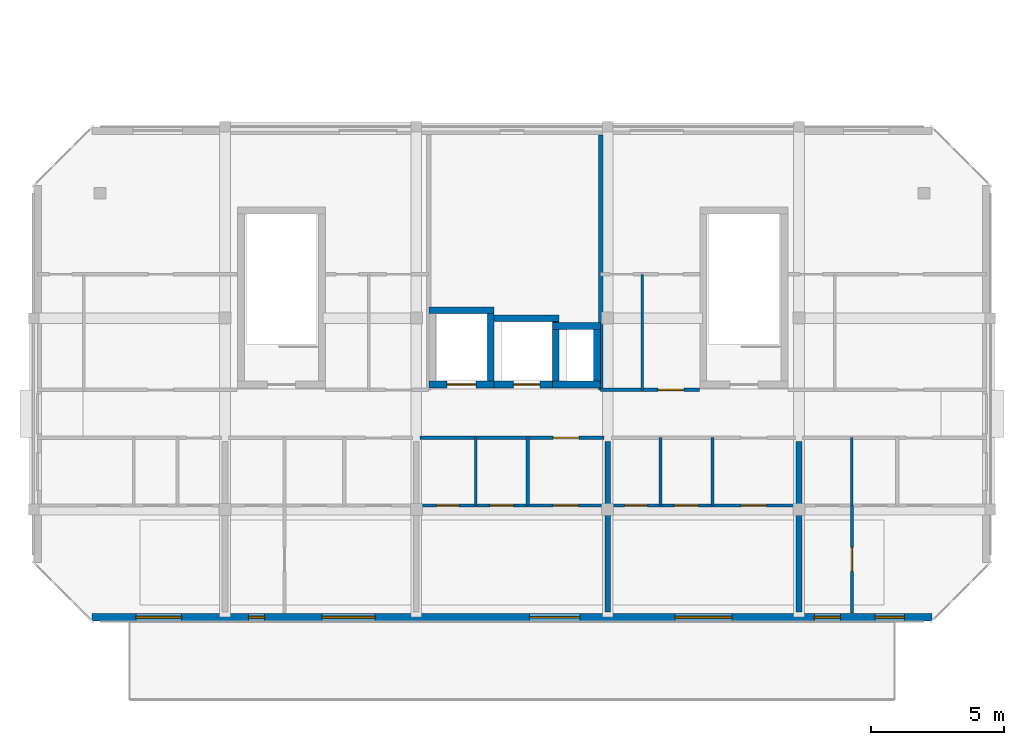
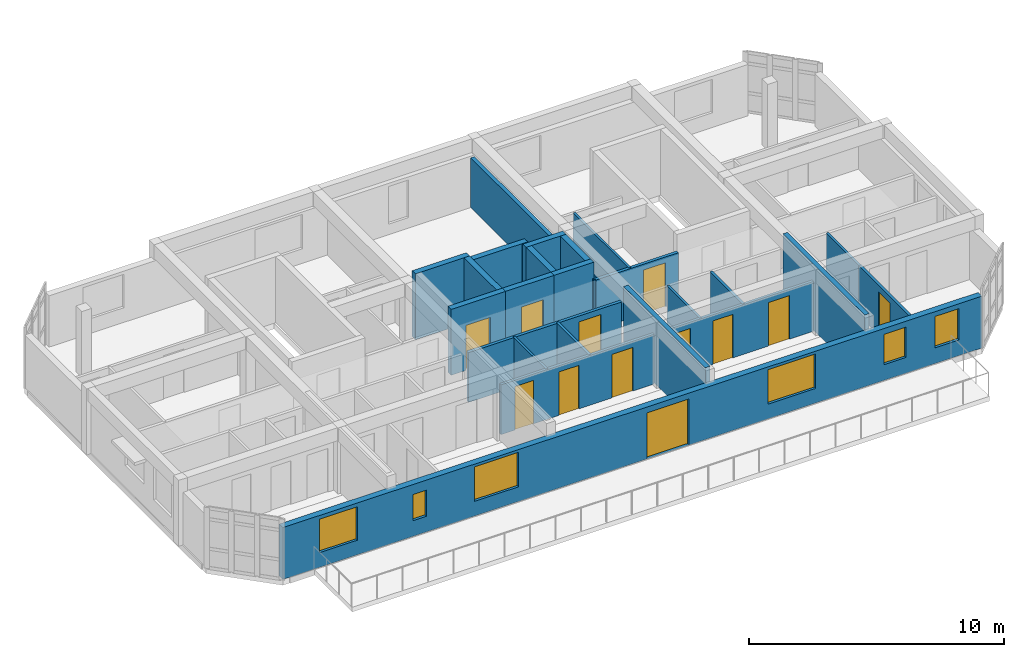
# One storey, part 9 of 19: 24 walls, 12 doors, 6 windows, 18 openings.
"""IFC4 building model written with IfcOpenShell, lengths in metres."""

from ifc_helpers import new_model, si_unit, direction, frame, frame_2d, origin, place, context, subcontext, project, spatial, rectangle, extrude, material, layer, layer_set, type_object, element, fill, save


model = new_model("IFC4")

# Units and contexts
model_context = context("Model", 3, precision=1e-05, world=origin(), true_north=direction((0.0, 1.0)))
body_context = subcontext(model_context, "Body", "Model", "MODEL_VIEW")
ifc_project = project(units=[si_unit("LENGTHUNIT", "METRE"), si_unit("AREAUNIT", "SQUARE_METRE"), si_unit("VOLUMEUNIT", "CUBIC_METRE"), si_unit("PLANEANGLEUNIT", "RADIAN"), si_unit("MASSUNIT", "GRAM", prefix="KILO")], contexts=[model_context])

# Site, building, storey
site_placement = place(None, origin())
site = spatial("IfcSite", under=ifc_project, at=site_placement, CompositionType="ELEMENT")
building_placement = place(site_placement, origin())
building = spatial("IfcBuilding", under=site, at=building_placement, Name="Ochrevale Crest", CompositionType="ELEMENT")
storey_placement = place(building_placement, frame((0.0, 0.0, 43.35009765625)))
storey = spatial("IfcBuildingStorey", under=building, at=storey_placement, Name="L13", CompositionType="ELEMENT", Elevation=43.35009765625)

# Wall, opening, door
ifc_material_1 = material(Name="Gypsum plasterboard", Category="gypsum")
ifc_layer_1 = layer(ifc_material_1, 0.139892578125)
ifc_layer_set_1 = layer_set([ifc_layer_1], Name="Gypsum plasterboard")
wall_type_1 = type_object("IfcWallType", Name="WL-COR-140", PredefinedType="PARTITIONING", material=ifc_layer_set_1)
wall_1_placement = place(storey_placement, frame((144.139892578125, 24.300048828125, 0.0), z_axis=(0.0, 0.0, 1.0), x_axis=(1.0, 0.0, 0.0)))
wall_1 = element("IfcWall", 1, at=wall_1_placement, inside=storey, type_object=wall_type_1, Name="Apartment C-L13-U3 corridor wall", PredefinedType="PARTITIONING", context=body_context, shape_type="SweptSolid", body=[
    extrude(rectangle(XDim=6.920166015625, YDim=0.139892578125, at=frame_2d((3.4599609375, 0.0))), origin(), (0.0, 0.0, 1.0), 2.3798828125),
])
opening_1_placement = place(wall_1_placement, frame((4.9951171875, 0.0, 0.0)))
opening_1 = element("IfcOpeningElement", 2, at=opening_1_placement, cuts=wall_1, Name="Opening FD01", PredefinedType="OPENING", context=body_context, shape_type="SweptSolid", body=[
    extrude(rectangle(XDim=0.97998046875, YDim=2.10009765625, at=frame_2d((0.489990234375, 1.050048828125))), frame((0.0, 0.080078125, 0.0), z_axis=(0.0, -1.0, 0.0), x_axis=(1.0, 0.0, 0.0)), (0.0, 0.0, 1.0), 0.159912109375),
])
ifc_material_2 = material(Name="Solid-core FSC hardwood", Category="wood")
door_type_1 = type_object("IfcDoorType", Name="DR-APT-950", OperationType="NOTDEFINED", PredefinedType="DOOR", material=ifc_material_2)
door_1_placement = place(opening_1_placement, origin())
door_1 = element("IfcDoor", 3, at=door_1_placement, inside=storey, type_object=door_type_1, Name="Apartment C-L13-U3 entrance door", OperationType="SINGLE_SWING_LEFT", OverallHeight=2.10009765625, OverallWidth=0.97998046875, PredefinedType="DOOR", context=body_context, shape_type="SweptSolid", body=[
    extrude(rectangle(XDim=0.97998046875, YDim=2.10009765625, at=frame_2d((0.489990234375, 1.050048828125))), frame((0.0, 0.02490234375, 0.0), z_axis=(0.0, -1.0, 0.0), x_axis=(1.0, 0.0, 0.0)), (0.0, 0.0, 1.0), 0.050048828125),
])
fill(opening_1, door_1)

wall_2_placement = place(storey_placement, frame((150.93994140625, 26.10009765625, 0.0), z_axis=(0.0, 0.0, 1.0), x_axis=(1.0, 0.0, 0.0)))
wall_2 = element("IfcWall", 4, at=wall_2_placement, inside=storey, type_object=wall_type_1, Name="Suite C-L13-ME corridor wall", PredefinedType="PARTITIONING", context=body_context, shape_type="SweptSolid", body=[
    extrude(rectangle(XDim=3.719970703125, YDim=0.139892578125, at=frame_2d((1.85986328125, 0.0))), origin(), (0.0, 0.0, 1.0), 2.3798828125),
])
opening_2_placement = place(wall_2_placement, frame((3.131103515625, 0.0, 0.0), z_axis=(0.0, 0.0, 1.0), x_axis=(-1.0, 0.0, 0.0)))
opening_2 = element("IfcOpeningElement", 5, at=opening_2_placement, cuts=wall_2, Name="Opening FD01", PredefinedType="OPENING", context=body_context, shape_type="SweptSolid", body=[
    extrude(rectangle(XDim=0.97998046875, YDim=2.10009765625, at=frame_2d((0.489990234375, 1.050048828125))), frame((0.0, 0.080078125, 0.0), z_axis=(0.0, -1.0, 0.0), x_axis=(1.0, 0.0, 0.0)), (0.0, 0.0, 1.0), 0.159912109375),
])
door_2_placement = place(opening_2_placement, origin())
door_2 = element("IfcDoor", 6, at=door_2_placement, inside=storey, type_object=door_type_1, Name="Suite C-L13-ME entrance door", OperationType="SINGLE_SWING_RIGHT", OverallHeight=2.10009765625, OverallWidth=0.97998046875, PredefinedType="DOOR", context=body_context, shape_type="SweptSolid", body=[
    extrude(rectangle(XDim=0.97998046875, YDim=2.10009765625, at=frame_2d((0.489990234375, 1.050048828125))), frame((0.0, 0.02490234375, 0.0), z_axis=(0.0, -1.0, 0.0), x_axis=(1.0, 0.0, 0.0)), (0.0, 0.0, 1.0), 0.050048828125),
])
fill(opening_2, door_2)

ifc_material_3 = material(Name="Precast concrete C50/60", Category="concrete")
ifc_layer_2 = layer(ifc_material_3, 0.2548828125)
ifc_layer_set_2 = layer_set([ifc_layer_2], Name="Precast concrete C50/60")
wall_type_2 = type_object("IfcWallType", Name="WL-CORE-255", PredefinedType="SHEAR", material=ifc_layer_set_2)
wall_3_placement = place(storey_placement, frame((144.472412109375, 26.300048828125, 0.0), z_axis=(0.0, 0.0, 1.0), x_axis=(1.0, 0.0, 0.0)))
wall_3 = element("IfcWall", 7, at=wall_3_placement, inside=storey, type_object=wall_type_2, Name="Block C L13 Lift 1 precast shaft shear wall S", PredefinedType="SHEAR", context=body_context, shape_type="SweptSolid", body=[
    extrude(rectangle(XDim=2.455078125, YDim=0.2548828125, at=frame_2d((1.2275390625, 0.0))), origin(), (0.0, 0.0, 1.0), 3.14990234375),
])
opening_3_placement = place(wall_3_placement, frame((0.677490234375, 0.0, 0.0)))
opening_3 = element("IfcOpeningElement", 8, at=opening_3_placement, cuts=wall_3, Name="Opening LD01", PredefinedType="OPENING", context=body_context, shape_type="SweptSolid", body=[
    extrude(rectangle(XDim=1.10009765625, YDim=2.14990234375, at=frame_2d((0.550048828125, 1.074951171875))), frame((0.0, 0.137451171875, 0.0), z_axis=(0.0, -1.0, 0.0), x_axis=(1.0, 0.0, 0.0)), (0.0, 0.0, 1.0), 0.27490234375),
])
door_type_2 = type_object("IfcDoorType", Name="DR-LIFT-1100", OperationType="NOTDEFINED", PredefinedType="DOOR", material=ifc_material_2)
door_3_placement = place(opening_3_placement, origin())
door_3 = element("IfcDoor", 9, at=door_3_placement, inside=storey, type_object=door_type_2, Name="Lift LF-C1 L13 sliding landing door", OperationType="SLIDING_TO_LEFT", OverallHeight=2.14990234375, OverallWidth=1.10009765625, PredefinedType="DOOR", context=body_context, shape_type="SweptSolid", body=[
    extrude(rectangle(XDim=1.10009765625, YDim=2.14990234375, at=frame_2d((0.550048828125, 1.074951171875))), frame((0.0, 0.02490234375, 0.0), z_axis=(0.0, -1.0, 0.0), x_axis=(1.0, 0.0, 0.0)), (0.0, 0.0, 1.0), 0.050048828125),
])
fill(opening_3, door_3)

# Walls
wall_4_placement = place(storey_placement, frame((144.472412109375, 29.10009765625, 0.0), z_axis=(0.0, 0.0, 1.0), x_axis=(1.0, 0.0, 0.0)))
element("IfcWall", 10, at=wall_4_placement, inside=storey, type_object=wall_type_2, Name="Block C L13 Lift 1 precast shaft shear wall N", PredefinedType="SHEAR", context=body_context, shape_type="SweptSolid", body=[
    extrude(rectangle(XDim=2.455078125, YDim=0.2548828125, at=frame_2d((1.2275390625, 0.0))), origin(), (0.0, 0.0, 1.0), 3.14990234375),
])
wall_5_placement = place(storey_placement, frame((146.800048828125, 26.427490234375, 0.0), z_axis=(0.0, 0.0, 1.0), x_axis=(0.0, 1.0, 0.0)))
element("IfcWall", 11, at=wall_5_placement, inside=storey, type_object=wall_type_2, Name="Block C L13 Lift 1 precast shaft shear wall E", PredefinedType="SHEAR", context=body_context, shape_type="SweptSolid", body=[
    extrude(rectangle(XDim=2.544921875, YDim=0.2548828125, at=frame_2d((1.2724609375, 0.0))), origin(), (0.0, 0.0, 1.0), 3.14990234375),
])

# Wall, opening, door
wall_6_placement = place(storey_placement, frame((146.922607421875, 26.300048828125, 0.0), z_axis=(0.0, 0.0, 1.0), x_axis=(1.0, 0.0, 0.0)))
wall_6 = element("IfcWall", 12, at=wall_6_placement, inside=storey, type_object=wall_type_2, Name="Block C L13 Lift 2 precast shaft shear wall S", PredefinedType="SHEAR", context=body_context, shape_type="SweptSolid", body=[
    extrude(rectangle(XDim=2.454833984375, YDim=0.2548828125, at=frame_2d((1.2275390625, 0.0))), origin(), (0.0, 0.0, 1.0), 3.14990234375),
])
opening_4_placement = place(wall_6_placement, frame((0.7275390625, 0.0, 0.0)))
opening_4 = element("IfcOpeningElement", 13, at=opening_4_placement, cuts=wall_6, Name="Opening LD02", PredefinedType="OPENING", context=body_context, shape_type="SweptSolid", body=[
    extrude(rectangle(XDim=1.0, YDim=2.14990234375, at=frame_2d((0.5, 1.074951171875))), frame((0.0, 0.137451171875, 0.0), z_axis=(0.0, -1.0, 0.0), x_axis=(1.0, 0.0, 0.0)), (0.0, 0.0, 1.0), 0.27490234375),
])
door_type_3 = type_object("IfcDoorType", Name="DR-LIFT-1000", OperationType="NOTDEFINED", PredefinedType="DOOR", material=ifc_material_2)
door_4_placement = place(opening_4_placement, origin())
door_4 = element("IfcDoor", 14, at=door_4_placement, inside=storey, type_object=door_type_3, Name="Lift LP-C2 L13 sliding landing door", OperationType="SLIDING_TO_RIGHT", OverallHeight=2.14990234375, OverallWidth=1.0, PredefinedType="DOOR", context=body_context, shape_type="SweptSolid", body=[
    extrude(rectangle(XDim=1.0, YDim=2.14990234375, at=frame_2d((0.5, 1.074951171875))), frame((0.0, 0.02490234375, 0.0), z_axis=(0.0, -1.0, 0.0), x_axis=(1.0, 0.0, 0.0)), (0.0, 0.0, 1.0), 0.050048828125),
])
fill(opening_4, door_4)

# Walls
wall_7_placement = place(storey_placement, frame((146.922607421875, 28.800048828125, 0.0), z_axis=(0.0, 0.0, 1.0), x_axis=(1.0, 0.0, 0.0)))
element("IfcWall", 15, at=wall_7_placement, inside=storey, type_object=wall_type_2, Name="Block C L13 Lift 2 precast shaft shear wall N", PredefinedType="SHEAR", context=body_context, shape_type="SweptSolid", body=[
    extrude(rectangle(XDim=2.454833984375, YDim=0.2548828125, at=frame_2d((1.2275390625, 0.0))), origin(), (0.0, 0.0, 1.0), 3.14990234375),
])
wall_8_placement = place(storey_placement, frame((149.25, 26.427490234375, 0.0), z_axis=(0.0, 0.0, 1.0), x_axis=(0.0, 1.0, 0.0)))
element("IfcWall", 16, at=wall_8_placement, inside=storey, type_object=wall_type_2, Name="Block C L13 Lift 2 precast shaft shear wall E", PredefinedType="SHEAR", context=body_context, shape_type="SweptSolid", body=[
    extrude(rectangle(XDim=2.2451171875, YDim=0.2548828125, at=frame_2d((1.12255859375, 0.0))), origin(), (0.0, 0.0, 1.0), 3.14990234375),
])
for number, where, z_axis, x_axis, name in (
    (17, (149.12255859375, 26.300048828125, 0.0), (0.0, 0.0, 1.0), (1.0, 0.0, 0.0), "Block C L13 services riser shaft core wall S"),
    (18, (149.12255859375, 28.5, 0.0), (0.0, 0.0, 1.0), (1.0, 0.0, 0.0), "Block C L13 services riser shaft core wall N"),
):
    element("IfcWall", number, at=place(storey_placement, frame(where, z_axis=z_axis, x_axis=x_axis)), inside=storey, type_object=wall_type_2, Name=name, PredefinedType="SHEAR", context=body_context, shape_type="SweptSolid", body=[
        extrude(rectangle(XDim=1.804931640625, YDim=0.2548828125, at=frame_2d((0.90234375, 0.0))), origin(), (0.0, 0.0, 1.0), 3.14990234375),
    ])
wall_9_placement = place(storey_placement, frame((150.800048828125, 26.427490234375, 0.0), z_axis=(0.0, 0.0, 1.0), x_axis=(0.0, 1.0, 0.0)))
element("IfcWall", 19, at=wall_9_placement, inside=storey, type_object=wall_type_2, Name="Block C L13 services riser shaft core wall E", PredefinedType="SHEAR", context=body_context, shape_type="SweptSolid", body=[
    extrude(rectangle(XDim=1.945068359375, YDim=0.2548828125, at=frame_2d((0.97265625, 0.0))), origin(), (0.0, 0.0, 1.0), 3.14990234375),
])

# Wall, openings, door, windows
ifc_material_4 = material(Name="Clay face brickwork", Category="masonry")
ifc_layer_3 = layer(ifc_material_4, 0.2900390625)
ifc_layer_set_3 = layer_set([ifc_layer_3], Name="Clay face brickwork")
wall_type_3 = type_object("IfcWallType", Name="WL-EXT-BRICK-290", PredefinedType="SOLIDWALL", material=ifc_layer_set_3)
wall_10_placement = place(storey_placement, frame((131.800048828125, 17.544921875, 0.0), z_axis=(0.0, 0.0, 1.0), x_axis=(1.0, 0.0, 0.0)))
wall_10 = element("IfcWall", 20, at=wall_10_placement, inside=storey, type_object=wall_type_3, Name="Block C L13 external facade wall E1", PredefinedType="SOLIDWALL", context=body_context, shape_type="SweptSolid", body=[
    extrude(rectangle(XDim=31.599853515625, YDim=0.2900390625, at=frame_2d((15.7998046875, 0.0))), origin(), (0.0, 0.0, 1.0), 2.47998046875),
])
opening_5_placement = place(wall_10_placement, frame((18.349853515625, 0.0, 0.0), z_axis=(0.0, 0.0, 1.0), x_axis=(-1.0, 0.0, 0.0)))
opening_5 = element("IfcOpeningElement", 21, at=opening_5_placement, cuts=wall_10, Name="Opening TD01", PredefinedType="OPENING", context=body_context, shape_type="SweptSolid", body=[
    extrude(rectangle(XDim=1.89990234375, YDim=2.199951171875, at=frame_2d((0.949951171875, 1.10009765625))), frame((0.0, 0.155029296875, 0.0), z_axis=(0.0, -1.0, 0.0), x_axis=(1.0, 0.0, 0.0)), (0.0, 0.0, 1.0), 0.31005859375),
])
opening_6_placement = place(wall_10_placement, frame((1.64990234375, 0.0, 0.699951171875)))
opening_6 = element("IfcOpeningElement", 22, at=opening_6_placement, cuts=wall_10, Name="Opening W10", PredefinedType="OPENING", context=body_context, shape_type="SweptSolid", body=[
    extrude(rectangle(XDim=1.719970703125, YDim=1.60009765625, at=frame_2d((0.85986328125, 0.800048828125))), frame((0.0, 0.155029296875, 0.0), z_axis=(0.0, -1.0, 0.0), x_axis=(1.0, 0.0, 0.0)), (0.0, 0.0, 1.0), 0.31005859375),
])
opening_7_placement = place(wall_10_placement, frame((5.889892578125, 0.0, 0.75)))
opening_7 = element("IfcOpeningElement", 23, at=opening_7_placement, cuts=wall_10, Name="Opening W01", PredefinedType="OPENING", context=body_context, shape_type="SweptSolid", body=[
    extrude(rectangle(XDim=0.60009765625, YDim=1.25, at=frame_2d((0.300048828125, 0.625))), frame((0.0, 0.155029296875, 0.0), z_axis=(0.0, -1.0, 0.0), x_axis=(1.0, 0.0, 0.0)), (0.0, 0.0, 1.0), 0.31005859375),
])
opening_8_placement = place(wall_10_placement, frame((8.64990234375, 0.0, 0.699951171875)))
opening_8 = element("IfcOpeningElement", 24, at=opening_8_placement, cuts=wall_10, Name="Opening W12", PredefinedType="OPENING", context=body_context, shape_type="SweptSolid", body=[
    extrude(rectangle(XDim=2.0, YDim=1.64990234375, at=frame_2d((1.0, 0.824951171875))), frame((0.0, 0.155029296875, 0.0), z_axis=(0.0, -1.0, 0.0), x_axis=(1.0, 0.0, 0.0)), (0.0, 0.0, 1.0), 0.31005859375),
])
opening_9_placement = place(wall_10_placement, frame((21.925048828125, 0.0, 0.699951171875)))
opening_9 = element("IfcOpeningElement", 25, at=opening_9_placement, cuts=wall_10, Name="Opening W13", PredefinedType="OPENING", context=body_context, shape_type="SweptSolid", body=[
    extrude(rectangle(XDim=2.14990234375, YDim=1.64990234375, at=frame_2d((1.074951171875, 0.824951171875))), frame((0.0, 0.155029296875, 0.0), z_axis=(0.0, -1.0, 0.0), x_axis=(1.0, 0.0, 0.0)), (0.0, 0.0, 1.0), 0.31005859375),
])
opening_10_placement = place(wall_10_placement, frame((27.175048828125, 0.0, 0.75)))
opening_10 = element("IfcOpeningElement", 26, at=opening_10_placement, cuts=wall_10, Name="Opening W04", PredefinedType="OPENING", context=body_context, shape_type="SweptSolid", body=[
    extrude(rectangle(XDim=0.97998046875, YDim=1.449951171875, at=frame_2d((0.489990234375, 0.72509765625))), frame((0.0, 0.155029296875, 0.0), z_axis=(0.0, -1.0, 0.0), x_axis=(1.0, 0.0, 0.0)), (0.0, 0.0, 1.0), 0.31005859375),
])
opening_11_placement = place(wall_10_placement, frame((29.465087890625, 0.0, 0.75)))
opening_11 = element("IfcOpeningElement", 27, at=opening_11_placement, cuts=wall_10, Name="Opening W05", PredefinedType="OPENING", context=body_context, shape_type="SweptSolid", body=[
    extrude(rectangle(XDim=1.10009765625, YDim=1.5, at=frame_2d((0.550048828125, 0.75))), frame((0.0, 0.155029296875, 0.0), z_axis=(0.0, -1.0, 0.0), x_axis=(1.0, 0.0, 0.0)), (0.0, 0.0, 1.0), 0.31005859375),
])
ifc_material_5 = material(Name="Anodised aluminium 6063-T5 and toughened glass", Category="aluminium")
door_type_4 = type_object("IfcDoorType", Name="DR-TER-1900", OperationType="NOTDEFINED", PredefinedType="DOOR", material=ifc_material_5)
door_5_placement = place(opening_5_placement, origin())
door_5 = element("IfcDoor", 28, at=door_5_placement, inside=storey, type_object=door_type_4, Name="Block C L13 roof-terrace double glazed door", OperationType="DOUBLE_DOOR_SINGLE_SWING", OverallHeight=2.199951171875, OverallWidth=1.89990234375, PredefinedType="DOOR", context=body_context, shape_type="SweptSolid", body=[
    extrude(rectangle(XDim=1.89990234375, YDim=2.199951171875, at=frame_2d((0.949951171875, 1.10009765625))), frame((0.0, 0.02490234375, 0.0), z_axis=(0.0, -1.0, 0.0), x_axis=(1.0, 0.0, 0.0)), (0.0, 0.0, 1.0), 0.050048828125),
])
fill(opening_5, door_5)
ifc_material_6 = material(Name="Anodised aluminium 6063-T5 and low-E double glazing", Category="aluminium")
window_type_1 = type_object("IfcWindowType", Name="WIN-W01", PartitioningType="SINGLE_PANEL", PredefinedType="WINDOW", material=ifc_material_6)
window_1_placement = place(opening_7_placement, origin())
window_1 = element("IfcWindow", 29, at=window_1_placement, inside=storey, type_object=window_type_1, Name="Block C L13 Apartment C-L13-U2 Master Bedroom window", OverallHeight=1.25, OverallWidth=0.60009765625, PartitioningType="SINGLE_PANEL", PredefinedType="WINDOW", context=body_context, shape_type="SweptSolid", body=[
    extrude(rectangle(XDim=0.60009765625, YDim=1.25, at=frame_2d((0.300048828125, 0.625))), frame((0.0, 0.030029296875, 0.0), z_axis=(0.0, -1.0, 0.0), x_axis=(1.0, 0.0, 0.0)), (0.0, 0.0, 1.0), 0.06005859375),
])
fill(opening_7, window_1)
window_type_2 = type_object("IfcWindowType", Name="WIN-W04", PartitioningType="SINGLE_PANEL", PredefinedType="WINDOW", material=ifc_material_6)
window_2_placement = place(opening_10_placement, origin())
window_2 = element("IfcWindow", 30, at=window_2_placement, inside=storey, type_object=window_type_2, Name="Block C L13 Apartment C-L13-U5 Double Bedroom window", OverallHeight=1.449951171875, OverallWidth=0.97998046875, PartitioningType="SINGLE_PANEL", PredefinedType="WINDOW", context=body_context, shape_type="SweptSolid", body=[
    extrude(rectangle(XDim=0.97998046875, YDim=1.449951171875, at=frame_2d((0.489990234375, 0.72509765625))), frame((0.0, 0.030029296875, 0.0), z_axis=(0.0, -1.0, 0.0), x_axis=(1.0, 0.0, 0.0)), (0.0, 0.0, 1.0), 0.06005859375),
])
fill(opening_10, window_2)
window_type_3 = type_object("IfcWindowType", Name="WIN-W05", PartitioningType="SINGLE_PANEL", PredefinedType="WINDOW", material=ifc_material_6)
window_3_placement = place(opening_11_placement, origin())
window_3 = element("IfcWindow", 31, at=window_3_placement, inside=storey, type_object=window_type_3, Name="Block C L13 Apartment C-L13-U5 Two Bedroom Living Room window", OverallHeight=1.5, OverallWidth=1.10009765625, PartitioningType="SINGLE_PANEL", PredefinedType="WINDOW", context=body_context, shape_type="SweptSolid", body=[
    extrude(rectangle(XDim=1.10009765625, YDim=1.5, at=frame_2d((0.550048828125, 0.75))), frame((0.0, 0.030029296875, 0.0), z_axis=(0.0, -1.0, 0.0), x_axis=(1.0, 0.0, 0.0)), (0.0, 0.0, 1.0), 0.06005859375),
])
fill(opening_11, window_3)
window_type_4 = type_object("IfcWindowType", Name="WIN-W10", PartitioningType="SINGLE_PANEL", PredefinedType="WINDOW", material=ifc_material_6)
window_4_placement = place(opening_6_placement, origin())
window_4 = element("IfcWindow", 32, at=window_4_placement, inside=storey, type_object=window_type_4, Name="Block C L13 Studio C-L13-U1 Living Room window", OverallHeight=1.60009765625, OverallWidth=1.719970703125, PartitioningType="SINGLE_PANEL", PredefinedType="WINDOW", context=body_context, shape_type="SweptSolid", body=[
    extrude(rectangle(XDim=1.719970703125, YDim=1.60009765625, at=frame_2d((0.85986328125, 0.800048828125))), frame((0.0, 0.030029296875, 0.0), z_axis=(0.0, -1.0, 0.0), x_axis=(1.0, 0.0, 0.0)), (0.0, 0.0, 1.0), 0.06005859375),
])
fill(opening_6, window_4)
window_type_5 = type_object("IfcWindowType", Name="WIN-W12", PartitioningType="SINGLE_PANEL", PredefinedType="WINDOW", material=ifc_material_6)
window_5_placement = place(opening_8_placement, origin())
window_5 = element("IfcWindow", 33, at=window_5_placement, inside=storey, type_object=window_type_5, Name="Block C L13 Apartment C-L13-U2 One Bedroom Living Room window", OverallHeight=1.64990234375, OverallWidth=2.0, PartitioningType="SINGLE_PANEL", PredefinedType="WINDOW", context=body_context, shape_type="SweptSolid", body=[
    extrude(rectangle(XDim=2.0, YDim=1.64990234375, at=frame_2d((1.0, 0.824951171875))), frame((0.0, 0.030029296875, 0.0), z_axis=(0.0, -1.0, 0.0), x_axis=(1.0, 0.0, 0.0)), (0.0, 0.0, 1.0), 0.06005859375),
])
fill(opening_8, window_5)
window_type_6 = type_object("IfcWindowType", Name="WIN-W13", PartitioningType="SINGLE_PANEL", PredefinedType="WINDOW", material=ifc_material_6)
window_6_placement = place(opening_9_placement, origin())
window_6 = element("IfcWindow", 34, at=window_6_placement, inside=storey, type_object=window_type_6, Name="Block C L13 Studio C-L13-U4 Living Room window", OverallHeight=1.64990234375, OverallWidth=2.14990234375, PartitioningType="SINGLE_PANEL", PredefinedType="WINDOW", context=body_context, shape_type="SweptSolid", body=[
    extrude(rectangle(XDim=2.14990234375, YDim=1.64990234375, at=frame_2d((1.074951171875, 0.824951171875))), frame((0.0, 0.030029296875, 0.0), z_axis=(0.0, -1.0, 0.0), x_axis=(1.0, 0.0, 0.0)), (0.0, 0.0, 1.0), 0.06005859375),
])
fill(opening_9, window_6)

# Wall
ifc_layer_4 = layer(ifc_material_1, 0.1201171875)
ifc_layer_set_4 = layer_set([ifc_layer_4], Name="Gypsum plasterboard")
wall_type_4 = type_object("IfcWallType", Name="WL-PART-120", PredefinedType="PARTITIONING", material=ifc_layer_set_4)
wall_11_placement = place(storey_placement, frame((148.18994140625, 21.75, 0.0), z_axis=(0.0, 0.0, 1.0), x_axis=(0.0, 1.0, 0.0)))
element("IfcWall", 35, at=wall_11_placement, inside=storey, type_object=wall_type_4, Name="Apartment C-L13-U3 kitchen-foyer wall", PredefinedType="PARTITIONING", context=body_context, shape_type="SweptSolid", body=[
    extrude(rectangle(XDim=2.550048828125, YDim=0.1201171875, at=frame_2d((1.27490234375, 0.0))), origin(), (0.0, 0.0, 1.0), 2.3798828125),
])

# Wall, openings, doors
wall_12_placement = place(storey_placement, frame((144.139892578125, 21.75, 0.0), z_axis=(0.0, 0.0, 1.0), x_axis=(1.0, 0.0, 0.0)))
wall_12 = element("IfcWall", 36, at=wall_12_placement, inside=storey, type_object=wall_type_4, Name="Apartment C-L13-U3 central partition", PredefinedType="PARTITIONING", context=body_context, shape_type="SweptSolid", body=[
    extrude(rectangle(XDim=6.920166015625, YDim=0.1201171875, at=frame_2d((3.4599609375, 0.0))), origin(), (0.0, 0.0, 1.0), 2.3798828125),
])
opening_12_placement = place(wall_12_placement, frame((1.47509765625, 0.0, 0.0), z_axis=(0.0, 0.0, 1.0), x_axis=(-1.0, 0.0, 0.0)))
opening_12 = element("IfcOpeningElement", 37, at=opening_12_placement, cuts=wall_12, Name="Opening ID01", PredefinedType="OPENING", context=body_context, shape_type="SweptSolid", body=[
    extrude(rectangle(XDim=0.85009765625, YDim=2.080078125, at=frame_2d((0.425048828125, 1.0400390625))), frame((0.0, 0.070068359375, 0.0), z_axis=(0.0, -1.0, 0.0), x_axis=(1.0, 0.0, 0.0)), (0.0, 0.0, 1.0), 0.14013671875),
])
opening_13_placement = place(wall_12_placement, frame((2.625, 0.0, 0.0)))
opening_13 = element("IfcOpeningElement", 38, at=opening_13_placement, cuts=wall_12, Name="Opening ID02", PredefinedType="OPENING", context=body_context, shape_type="SweptSolid", body=[
    extrude(rectangle(XDim=0.89990234375, YDim=2.080078125, at=frame_2d((0.449951171875, 1.0400390625))), frame((0.0, 0.070068359375, 0.0), z_axis=(0.0, -1.0, 0.0), x_axis=(1.0, 0.0, 0.0)), (0.0, 0.0, 1.0), 0.14013671875),
])
opening_14_placement = place(wall_12_placement, frame((5.9599609375, 0.0, 0.0), z_axis=(0.0, 0.0, 1.0), x_axis=(-1.0, 0.0, 0.0)))
opening_14 = element("IfcOpeningElement", 39, at=opening_14_placement, cuts=wall_12, Name="Opening ID06", PredefinedType="OPENING", context=body_context, shape_type="SweptSolid", body=[
    extrude(rectangle(XDim=0.949951171875, YDim=2.080078125, at=frame_2d((0.47509765625, 1.0400390625))), frame((0.0, 0.070068359375, 0.0), z_axis=(0.0, -1.0, 0.0), x_axis=(1.0, 0.0, 0.0)), (0.0, 0.0, 1.0), 0.14013671875),
])
door_type_5 = type_object("IfcDoorType", Name="DR-INT-900", OperationType="NOTDEFINED", PredefinedType="DOOR", material=ifc_material_2)
door_6_placement = place(opening_13_placement, origin())
door_6 = element("IfcDoor", 40, at=door_6_placement, inside=storey, type_object=door_type_5, Name="Apartment C-L13-U3 Kitchen door", OperationType="SINGLE_SWING_LEFT", OverallHeight=2.080078125, OverallWidth=0.89990234375, PredefinedType="DOOR", context=body_context, shape_type="SweptSolid", body=[
    extrude(rectangle(XDim=0.89990234375, YDim=2.080078125, at=frame_2d((0.449951171875, 1.0400390625))), frame((0.0, 0.02490234375, 0.0), z_axis=(0.0, -1.0, 0.0), x_axis=(1.0, 0.0, 0.0)), (0.0, 0.0, 1.0), 0.050048828125),
])
fill(opening_13, door_6)
door_type_6 = type_object("IfcDoorType", Name="DR-INT-950", OperationType="NOTDEFINED", PredefinedType="DOOR", material=ifc_material_2)
door_7_placement = place(opening_14_placement, origin())
door_7 = element("IfcDoor", 41, at=door_7_placement, inside=storey, type_object=door_type_6, Name="Apartment C-L13-U3 Living Foyer door", OperationType="SINGLE_SWING_RIGHT", OverallHeight=2.080078125, OverallWidth=0.949951171875, PredefinedType="DOOR", context=body_context, shape_type="SweptSolid", body=[
    extrude(rectangle(XDim=0.949951171875, YDim=2.080078125, at=frame_2d((0.47509765625, 1.0400390625))), frame((0.0, 0.02490234375, 0.0), z_axis=(0.0, -1.0, 0.0), x_axis=(1.0, 0.0, 0.0)), (0.0, 0.0, 1.0), 0.050048828125),
])
fill(opening_14, door_7)
door_type_7 = type_object("IfcDoorType", Name="DR-WC-850", OperationType="NOTDEFINED", PredefinedType="DOOR", material=ifc_material_2)
door_8_placement = place(opening_12_placement, origin())
door_8 = element("IfcDoor", 42, at=door_8_placement, inside=storey, type_object=door_type_7, Name="Apartment C-L13-U3 Bathroom door", OperationType="SINGLE_SWING_RIGHT", OverallHeight=2.080078125, OverallWidth=0.85009765625, PredefinedType="DOOR", context=body_context, shape_type="SweptSolid", body=[
    extrude(rectangle(XDim=0.85009765625, YDim=2.080078125, at=frame_2d((0.425048828125, 1.0400390625))), frame((0.0, 0.02490234375, 0.0), z_axis=(0.0, -1.0, 0.0), x_axis=(1.0, 0.0, 0.0)), (0.0, 0.0, 1.0), 0.050048828125),
])
fill(opening_12, door_8)

# Wall
wall_13_placement = place(storey_placement, frame((155.139892578125, 21.75, 0.0), z_axis=(0.0, 0.0, 1.0), x_axis=(0.0, 1.0, 0.0)))
element("IfcWall", 43, at=wall_13_placement, inside=storey, type_object=wall_type_4, Name="Apartment C-L13-U4 kitchen-foyer wall", PredefinedType="PARTITIONING", context=body_context, shape_type="SweptSolid", body=[
    extrude(rectangle(XDim=2.550048828125, YDim=0.1201171875, at=frame_2d((1.27490234375, 0.0))), origin(), (0.0, 0.0, 1.0), 2.3798828125),
])

# Wall, openings, doors
wall_14_placement = place(storey_placement, frame((151.340087890625, 21.75, 0.0), z_axis=(0.0, 0.0, 1.0), x_axis=(1.0, 0.0, 0.0)))
wall_14 = element("IfcWall", 44, at=wall_14_placement, inside=storey, type_object=wall_type_4, Name="Apartment C-L13-U4 central partition", PredefinedType="PARTITIONING", context=body_context, shape_type="SweptSolid", body=[
    extrude(rectangle(XDim=6.919921875, YDim=0.1201171875, at=frame_2d((3.4599609375, 0.0))), origin(), (0.0, 0.0, 1.0), 2.3798828125),
])
opening_15_placement = place(wall_14_placement, frame((1.35009765625, 0.0, 0.0), z_axis=(0.0, 0.0, 1.0), x_axis=(-1.0, 0.0, 0.0)))
opening_15 = element("IfcOpeningElement", 45, at=opening_15_placement, cuts=wall_14, Name="Opening ID01", PredefinedType="OPENING", context=body_context, shape_type="SweptSolid", body=[
    extrude(rectangle(XDim=0.85009765625, YDim=2.080078125, at=frame_2d((0.425048828125, 1.0400390625))), frame((0.0, 0.070068359375, 0.0), z_axis=(0.0, -1.0, 0.0), x_axis=(1.0, 0.0, 0.0)), (0.0, 0.0, 1.0), 0.14013671875),
])
opening_16_placement = place(wall_14_placement, frame((2.375, 0.0, 0.0)))
opening_16 = element("IfcOpeningElement", 46, at=opening_16_placement, cuts=wall_14, Name="Opening ID02", PredefinedType="OPENING", context=body_context, shape_type="SweptSolid", body=[
    extrude(rectangle(XDim=0.89990234375, YDim=2.080078125, at=frame_2d((0.449951171875, 1.0400390625))), frame((0.0, 0.070068359375, 0.0), z_axis=(0.0, -1.0, 0.0), x_axis=(1.0, 0.0, 0.0)), (0.0, 0.0, 1.0), 0.14013671875),
])
opening_17_placement = place(wall_14_placement, frame((5.8349609375, 0.0, 0.0), z_axis=(0.0, 0.0, 1.0), x_axis=(-1.0, 0.0, 0.0)))
opening_17 = element("IfcOpeningElement", 47, at=opening_17_placement, cuts=wall_14, Name="Opening ID06", PredefinedType="OPENING", context=body_context, shape_type="SweptSolid", body=[
    extrude(rectangle(XDim=0.949951171875, YDim=2.080078125, at=frame_2d((0.47509765625, 1.0400390625))), frame((0.0, 0.070068359375, 0.0), z_axis=(0.0, -1.0, 0.0), x_axis=(1.0, 0.0, 0.0)), (0.0, 0.0, 1.0), 0.14013671875),
])
door_9_placement = place(opening_16_placement, origin())
door_9 = element("IfcDoor", 48, at=door_9_placement, inside=storey, type_object=door_type_5, Name="Apartment C-L13-U4 Kitchen door", OperationType="SINGLE_SWING_LEFT", OverallHeight=2.080078125, OverallWidth=0.89990234375, PredefinedType="DOOR", context=body_context, shape_type="SweptSolid", body=[
    extrude(rectangle(XDim=0.89990234375, YDim=2.080078125, at=frame_2d((0.449951171875, 1.0400390625))), frame((0.0, 0.02490234375, 0.0), z_axis=(0.0, -1.0, 0.0), x_axis=(1.0, 0.0, 0.0)), (0.0, 0.0, 1.0), 0.050048828125),
])
fill(opening_16, door_9)
door_10_placement = place(opening_17_placement, origin())
door_10 = element("IfcDoor", 49, at=door_10_placement, inside=storey, type_object=door_type_6, Name="Apartment C-L13-U4 Living Foyer door", OperationType="SINGLE_SWING_RIGHT", OverallHeight=2.080078125, OverallWidth=0.949951171875, PredefinedType="DOOR", context=body_context, shape_type="SweptSolid", body=[
    extrude(rectangle(XDim=0.949951171875, YDim=2.080078125, at=frame_2d((0.47509765625, 1.0400390625))), frame((0.0, 0.02490234375, 0.0), z_axis=(0.0, -1.0, 0.0), x_axis=(1.0, 0.0, 0.0)), (0.0, 0.0, 1.0), 0.050048828125),
])
fill(opening_17, door_10)
door_11_placement = place(opening_15_placement, origin())
door_11 = element("IfcDoor", 50, at=door_11_placement, inside=storey, type_object=door_type_7, Name="Apartment C-L13-U4 Bathroom door", OperationType="SINGLE_SWING_RIGHT", OverallHeight=2.080078125, OverallWidth=0.85009765625, PredefinedType="DOOR", context=body_context, shape_type="SweptSolid", body=[
    extrude(rectangle(XDim=0.85009765625, YDim=2.080078125, at=frame_2d((0.425048828125, 1.0400390625))), frame((0.0, 0.02490234375, 0.0), z_axis=(0.0, -1.0, 0.0), x_axis=(1.0, 0.0, 0.0)), (0.0, 0.0, 1.0), 0.050048828125),
])
fill(opening_15, door_11)

# Wall, opening, door
wall_15_placement = place(storey_placement, frame((160.389892578125, 17.699951171875, 0.0), z_axis=(0.0, 0.0, 1.0), x_axis=(0.0, 1.0, 0.0)))
wall_15 = element("IfcWall", 51, at=wall_15_placement, inside=storey, type_object=wall_type_4, Name="Apartment C-L13-U5 bedroom partition", PredefinedType="PARTITIONING", context=body_context, shape_type="SweptSolid", body=[
    extrude(rectangle(XDim=4.050048828125, YDim=0.1201171875, at=frame_2d((2.02490234375, 0.0))), origin(), (0.0, 0.0, 1.0), 2.3798828125),
])
opening_18_placement = place(wall_15_placement, frame((1.574951171875, 0.0, 0.0)))
opening_18 = element("IfcOpeningElement", 52, at=opening_18_placement, cuts=wall_15, Name="Opening ID02", PredefinedType="OPENING", context=body_context, shape_type="SweptSolid", body=[
    extrude(rectangle(XDim=0.89990234375, YDim=2.080078125, at=frame_2d((0.449951171875, 1.0400390625))), frame((0.0, 0.070068359375, 0.0), z_axis=(0.0, -1.0, 0.0), x_axis=(1.0, 0.0, 0.0)), (0.0, 0.0, 1.0), 0.14013671875),
])
door_12_placement = place(opening_18_placement, origin())
door_12 = element("IfcDoor", 53, at=door_12_placement, inside=storey, type_object=door_type_5, Name="Apartment C-L13-U5 Double Bedroom door", OperationType="SINGLE_SWING_LEFT", OverallHeight=2.080078125, OverallWidth=0.89990234375, PredefinedType="DOOR", context=body_context, shape_type="SweptSolid", body=[
    extrude(rectangle(XDim=0.89990234375, YDim=2.080078125, at=frame_2d((0.449951171875, 1.0400390625))), frame((0.0, 0.02490234375, 0.0), z_axis=(0.0, -1.0, 0.0), x_axis=(1.0, 0.0, 0.0)), (0.0, 0.0, 1.0), 0.050048828125),
])
fill(opening_18, door_12)

# Walls
ifc_material_7 = material(Name="Precast concrete C40/50", Category="concrete")
ifc_layer_5 = layer(ifc_material_7, 0.2099609375)
ifc_layer_set_5 = layer_set([ifc_layer_5], Name="Precast concrete C40/50")
wall_type_5 = type_object("IfcWallType", Name="WL-SHEAR-210", PredefinedType="SHEAR", material=ifc_layer_set_5)
for number, where, z_axis, x_axis, name in (
    (54, (151.199951171875, 17.75, 0.0), (0.0, 0.0, 1.0), (0.0, 1.0, 0.0), "Block C L13 load-bearing precast cross-wall X=151.2"),
    (55, (158.39990234375, 17.75, 0.0), (0.0, 0.0, 1.0), (0.0, 1.0, 0.0), "Block C L13 load-bearing precast cross-wall X=158.4"),
):
    element("IfcWall", number, at=place(storey_placement, frame(where, z_axis=z_axis, x_axis=x_axis)), inside=storey, type_object=wall_type_5, Name=name, PredefinedType="SHEAR", context=body_context, shape_type="SweptSolid", body=[
        extrude(rectangle(XDim=6.39990234375, YDim=0.2099609375, at=frame_2d((3.199951171875, 0.0))), origin(), (0.0, 0.0, 1.0), 3.14990234375),
    ])
ifc_layer_6 = layer(ifc_material_1, 0.169921875)
ifc_layer_set_6 = layer_set([ifc_layer_6], Name="Gypsum plasterboard")
wall_type_6 = type_object("IfcWallType", Name="WL-TEN-170", PredefinedType="PARTITIONING", material=ifc_layer_set_6)
wall_16_placement = place(storey_placement, frame((150.93994140625, 26.10009765625, 0.0), z_axis=(0.0, 0.0, 1.0), x_axis=(0.0, 1.0, 0.0)))
element("IfcWall", 56, at=wall_16_placement, inside=storey, type_object=wall_type_6, Name="Suite C-L13-ME west party wall", PredefinedType="PARTITIONING", context=body_context, shape_type="SweptSolid", body=[
    extrude(rectangle(XDim=9.599853515625, YDim=0.169921875, at=frame_2d((4.7998046875, 0.0))), origin(), (0.0, 0.0, 1.0), 2.3798828125),
])
ifc_layer_7 = layer(ifc_material_1, 0.10009765625)
ifc_layer_set_7 = layer_set([ifc_layer_7], Name="Gypsum plasterboard")
wall_type_7 = type_object("IfcWallType", Name="WL-WET-100", PredefinedType="PARTITIONING", material=ifc_layer_set_7)
for number, where, z_axis, x_axis, name in (
    (57, (146.239990234375, 21.75, 0.0), (0.0, 0.0, 1.0), (0.0, 1.0, 0.0), "Apartment C-L13-U3 bath-kitchen wall"),
    (58, (153.18994140625, 21.75, 0.0), (0.0, 0.0, 1.0), (0.0, 1.0, 0.0), "Apartment C-L13-U4 bath-kitchen wall"),
    (59, (160.389892578125, 21.75, 0.0), (0.0, 0.0, 1.0), (0.0, 1.0, 0.0), "Apartment C-L13-U5 bath-kitchen wall"),
):
    element("IfcWall", number, at=place(storey_placement, frame(where, z_axis=z_axis, x_axis=x_axis)), inside=storey, type_object=wall_type_7, Name=name, PredefinedType="PARTITIONING", context=body_context, shape_type="SweptSolid", body=[
        extrude(rectangle(XDim=2.550048828125, YDim=0.10009765625, at=frame_2d((1.27490234375, 0.0))), origin(), (0.0, 0.0, 1.0), 2.3798828125),
    ])
wall_17_placement = place(storey_placement, frame((152.50244140625, 26.10009765625, 0.0), z_axis=(0.0, 0.0, 1.0), x_axis=(0.0, 1.0, 0.0)))
element("IfcWall", 60, at=wall_17_placement, inside=storey, type_object=wall_type_7, Name="Suite C-L13-ME bathroom divider", PredefinedType="PARTITIONING", context=body_context, shape_type="SweptSolid", body=[
    extrude(rectangle(XDim=4.349853515625, YDim=0.10009765625, at=frame_2d((2.1748046875, 0.0))), origin(), (0.0, 0.0, 1.0), 2.3798828125),
])

save(model, "model.ifc")
